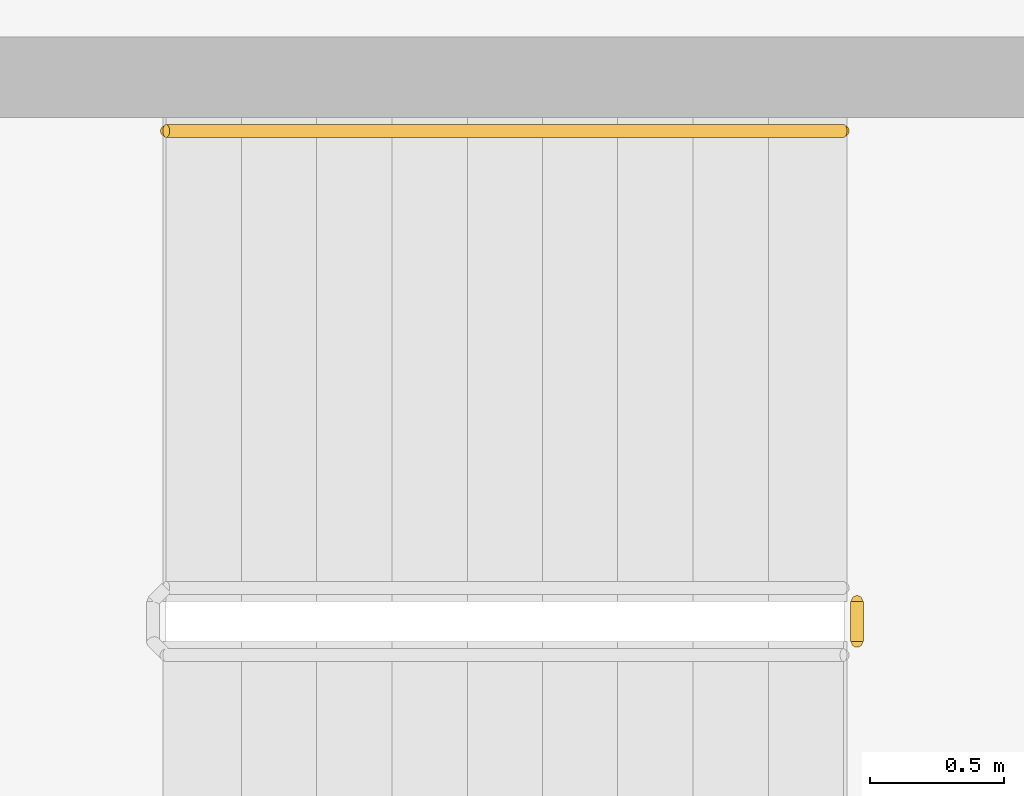
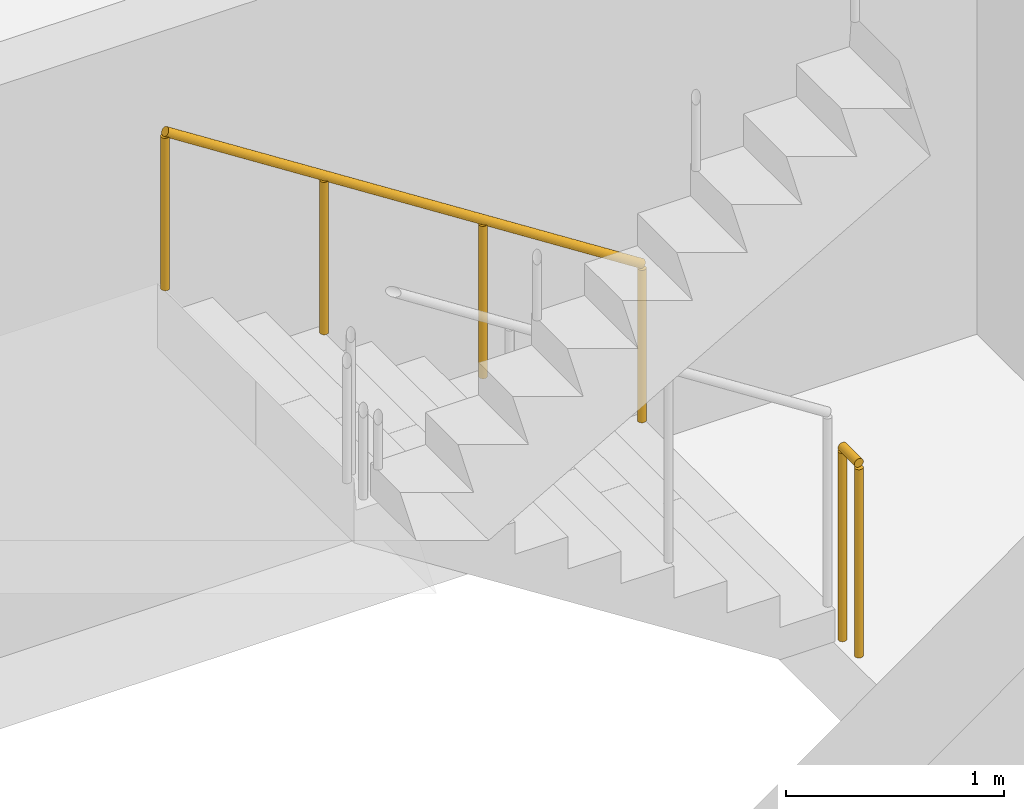
# One storey, part 23 of 26: 2 railings.
"""IFC4 building model written with IfcOpenShell, lengths in metres."""

import ifcopenshell
import ifcopenshell.guid

model = None  # the IFC model being written
_history = None  # IfcOwnerHistory: only IFC2X3 demands one
_inside = {}  # id of a spatial element -> (the spatial element, [elements in it])
_under = {}  # id of a project, library or spatial element -> (it, [spatial elements below it])
_declared = {}  # id of a project -> (the project, [libraries it declares])
_typed = {}  # id of a type object -> (the type object, [elements of that type])
_made_of = {}  # id of a material, layer set ... -> (it, [elements and type objects made of it])


def new_model(schema):
    """Start an empty IFC model of exactly this schema.

    Asked for "IFC4X3", IfcOpenShell would pick the latest addendum, in which some entities
    have other attributes; the version numbers below select the first issue.
    IFC2X3 requires an IfcOwnerHistory on every rooted entity: one is made here for all.
    """
    global model, _history
    if schema == "IFC4X3":
        model = ifcopenshell.file(schema_version=(4, 3, 0, 0))
    else:
        model = ifcopenshell.file(schema=schema)
    _inside.clear()
    _under.clear()
    _declared.clear()
    _typed.clear()
    _made_of.clear()
    _history = None
    if model.schema == "IFC2X3":
        org = make("IfcOrganization", Name="unknown")
        user = make(
            "IfcPersonAndOrganization",
            ThePerson=make("IfcPerson", FamilyName="unknown"),
            TheOrganization=org,
        )
        app = make(
            "IfcApplication",
            ApplicationDeveloper=org,
            Version="unknown",
            ApplicationFullName="unknown",
            ApplicationIdentifier="unknown",
        )
        _history = make(
            "IfcOwnerHistory",
            OwningUser=user,
            OwningApplication=app,
            ChangeAction="ADDED",
            CreationDate=0,
        )
    return model


def make(cls, **values):
    """One entity of the class cls with the attributes given. An attribute that is None is left unset."""
    return model.create_entity(
        cls, **{name: value for name, value in values.items() if value is not None}
    )


def rooted(cls, **values):
    """An entity with a GlobalId (a new one), such as an element, a storey or a relation."""
    return make(cls, GlobalId=ifcopenshell.guid.new(), OwnerHistory=_history, **values)


def si_unit(unit_type, name, prefix=None):
    """IfcSIUnit, for example si_unit("LENGTHUNIT", "METRE", prefix="MILLI")."""
    return make("IfcSIUnit", UnitType=unit_type, Prefix=prefix, Name=name)


def assignment(units):
    """IfcUnitAssignment: the units of a project."""
    return None if units is None else make("IfcUnitAssignment", Units=units)


def point(xyz):
    """IfcCartesianPoint."""
    return None if xyz is None else make("IfcCartesianPoint", Coordinates=xyz)


def direction(xyz):
    """IfcDirection."""
    return None if xyz is None else make("IfcDirection", DirectionRatios=xyz)


def frame(location, z_axis=None, x_axis=None):
    """IfcAxis2Placement3D, a coordinate frame: its origin and axes. An axis left out is left unset."""
    return make(
        "IfcAxis2Placement3D",
        Location=point(location),
        Axis=direction(z_axis),
        RefDirection=direction(x_axis),
    )


def frame_2d(location, x_axis=None):
    """IfcAxis2Placement2D, a coordinate frame in the plane: its origin and x axis."""
    return make(
        "IfcAxis2Placement2D", Location=point(location), RefDirection=direction(x_axis)
    )


def origin():
    """The frame at (0, 0, 0) with its axes left unset."""
    return frame((0.0, 0.0, 0.0))


def origin_2d():
    """The frame at (0, 0) in the plane with its x axis left unset."""
    return frame_2d((0.0, 0.0))


def place(relative_to, where):
    """IfcLocalPlacement: puts the frame where relative to a parent placement (None: the world)."""
    return make(
        "IfcLocalPlacement", PlacementRelTo=relative_to, RelativePlacement=where
    )


def context(
    kind, dimensions, precision=None, world=None, true_north=None, identifier=None
):
    """IfcGeometricRepresentationContext, for example the 3D "Model" context."""
    return make(
        "IfcGeometricRepresentationContext",
        ContextIdentifier=identifier,
        ContextType=kind,
        CoordinateSpaceDimension=dimensions,
        Precision=precision,
        WorldCoordinateSystem=world,
        TrueNorth=true_north,
    )


def subcontext(parent, identifier, kind, view, scale=None):
    """IfcGeometricRepresentationSubContext, for example "Body" below "Model"."""
    return make(
        "IfcGeometricRepresentationSubContext",
        ContextIdentifier=identifier,
        ContextType=kind,
        ParentContext=parent,
        TargetScale=scale,
        TargetView=view,
    )


def project(units=None, contexts=None):
    """IfcProject with its units and contexts."""
    return rooted(
        "IfcProject",
        Name="project",
        RepresentationContexts=contexts,
        UnitsInContext=assignment(units),
    )


def spatial(cls, under=None, at=None, **own):
    """A site, building, storey or space (cls), placed at a placement, below another one or the project."""
    s = rooted(cls, ObjectPlacement=at, **own)
    if under is not None:
        _under.setdefault(under.id(), (under, []))[1].append(s)
    return s


def profile(cls, at=None, kind="AREA", **sizes):
    """A parametric profile (cls). Its sizes go by their IFC names, for example OverallWidth=200.0."""
    return make(cls, ProfileType=kind, Position=at, **sizes)


def circle(**sizes):
    """IfcCircleProfileDef."""
    return profile("IfcCircleProfileDef", **sizes)


def extrude(swept, where, along, depth):
    """IfcExtrudedAreaSolid: the profile swept, set in the frame where, extruded along a direction by depth."""
    return make(
        "IfcExtrudedAreaSolid",
        SweptArea=swept,
        Position=where,
        ExtrudedDirection=direction(along),
        Depth=depth,
    )


def shape(context_of_items, identifier, shape_type, items):
    """IfcShapeRepresentation: the items that make up one representation, for example the "Body"."""
    return make(
        "IfcShapeRepresentation",
        ContextOfItems=context_of_items,
        RepresentationIdentifier=identifier,
        RepresentationType=shape_type,
        Items=items,
    )


def material(Name=None, Category=None):
    """IfcMaterial."""
    return make("IfcMaterial", Name=Name, Category=Category)


def made_of(thing, what):
    """Note that an element or type object is made of a material, layer set ...; save() writes the relation."""
    if what is not None:
        _made_of.setdefault(what.id(), (what, []))[1].append(thing)
    return thing


def type_object(cls, material=None, **own):
    """A type object (cls), such as IfcWallType, which elements share."""
    return made_of(rooted(cls, **own), material)


def element(
    cls,
    number,
    at=None,
    inside=None,
    cuts=None,
    type_object=None,
    material=None,
    context=None,
    identifier="Body",
    shape_type=None,
    held_by="IfcProductDefinitionShape",
    body=None,
    shapes=None,
    **own,
):
    """One element of the class cls, such as IfcWall. Its Tag is "e" and its number.

    at: its placement. inside: the storey or other place that contains it. cuts: it is an
    opening in that element (IfcRelVoidsElement). A single representation is given by context,
    identifier, shape_type and body (its items); several are given by shapes. held_by: the class
    of the entity that holds the representations. save() writes the other relations.
    """
    e = rooted(cls, Tag="e%d" % number, ObjectPlacement=at, **own)
    if body is not None:
        shapes = [shape(context, identifier, shape_type, body)]
    if shapes is not None:
        e.Representation = make(held_by, Representations=shapes)
    if inside is not None:
        _inside.setdefault(inside.id(), (inside, []))[1].append(e)
    if cuts is not None:
        rooted(
            "IfcRelVoidsElement", RelatingBuildingElement=cuts, RelatedOpeningElement=e
        )
    if type_object is not None:
        _typed.setdefault(type_object.id(), (type_object, []))[1].append(e)
    return made_of(e, material)


def aggregate(whole, parts):
    """IfcRelAggregates: a whole, such as a stair, and the parts it consists of."""
    return rooted("IfcRelAggregates", RelatingObject=whole, RelatedObjects=parts)


def save(model, path):
    """Write the relations noted so far, then the file.

    IfcRelAggregates (storeys below a building ...), IfcRelContainedInSpatialStructure (elements
    in a storey), IfcRelDefinesByType, IfcRelAssociatesMaterial and IfcRelDeclares: one each for
    every whole, place, type object, material and project.
    """
    for whole, parts in _under.values():
        aggregate(whole, parts)
    for where, things in _inside.values():
        rooted(
            "IfcRelContainedInSpatialStructure",
            RelatedElements=things,
            RelatingStructure=where,
        )
    for kind, things in _typed.values():
        rooted("IfcRelDefinesByType", RelatedObjects=things, RelatingType=kind)
    for what, things in _made_of.values():
        rooted("IfcRelAssociatesMaterial", RelatedObjects=things, RelatingMaterial=what)
    for by, libraries in _declared.values():
        rooted("IfcRelDeclares", RelatingContext=by, RelatedDefinitions=libraries)
    model.write(path)


model = new_model("IFC4")

# Units and contexts
model_context = context("Model", 3, precision=1e-05, world=origin(), true_north=direction((0.0, 1.0)))
body_context = subcontext(model_context, "Body", "Model", "MODEL_VIEW")
ifc_project = project(units=[si_unit("LENGTHUNIT", "METRE"), si_unit("AREAUNIT", "SQUARE_METRE"), si_unit("VOLUMEUNIT", "CUBIC_METRE"), si_unit("PLANEANGLEUNIT", "RADIAN"), si_unit("MASSUNIT", "GRAM", prefix="KILO")], contexts=[model_context])

# Site, building, storey
site_placement = place(None, origin())
site = spatial("IfcSite", under=ifc_project, at=site_placement, CompositionType="ELEMENT")
building_placement = place(site_placement, origin())
building = spatial("IfcBuilding", under=site, at=building_placement, Name="Wharfspan Tower", CompositionType="ELEMENT")
storey_placement = place(building_placement, frame((0.0, 0.0, 96.699951)))
storey = spatial("IfcBuildingStorey", under=building, at=storey_placement, Name="L21", CompositionType="ELEMENT", Elevation=96.699951)

# Railings
ifc_material = material(Name="Steel S355J2", Category="steel")
railing_type_1 = type_object("IfcRailingType", Name="Stair guard 1100", PredefinedType="GUARDRAIL", material=ifc_material)
railing_1_placement = place(storey_placement, frame((13.949951, 22.774902, 0.0)))
element("IfcRailing", 1, at=railing_1_placement, inside=storey, type_object=railing_type_1, Name="L21 ST3 stair guard 2", PredefinedType="GUARDRAIL", context=body_context, shape_type="SweptSolid", body=[
    extrude(circle(Radius=0.023926, at=origin_2d()), frame((0.0, 0.0, 1.076172), z_axis=(0.0, -1.0, 0.0), x_axis=(1.0, 0.0, 0.0)), (0.0, 0.0, 1.0), 0.149902),
    extrude(circle(Radius=0.020996, at=origin_2d()), origin(), (0.0, 0.0, 1.0), 1.052002),
    extrude(circle(Radius=0.020996, at=origin_2d()), frame((0.0, -0.149902, 0.0)), (0.0, 0.0, 1.0), 1.052002),
])
railing_type_2 = type_object("IfcRailingType", Name="Stair handrail 900", PredefinedType="HANDRAIL", material=ifc_material)
railing_2_placement = place(storey_placement, frame((13.899902, 24.524902, 0.179932)))
element("IfcRailing", 2, at=railing_2_placement, inside=storey, type_object=railing_type_2, Name="L21 ST3 stair handrail 1", PredefinedType="HANDRAIL", context=body_context, shape_type="SweptSolid", body=[
    extrude(circle(Radius=0.023926, at=origin_2d()), frame((0.0, 0.0, 0.875977), z_axis=(-0.841163, 0.0, 0.540782), x_axis=(0.0, -1.0, 0.0)), (0.0, 0.0, 1.0), 2.99585),
    extrude(circle(Radius=0.020996, at=origin_2d()), origin(), (0.0, 0.0, 1.0), 0.851807),
    extrude(circle(Radius=0.020996, at=origin_2d()), frame((-0.840088, 0.0, 0.540039)), (0.0, 0.0, 1.0), 0.851807),
    extrude(circle(Radius=0.020996, at=origin_2d()), frame((-1.679932, 0.0, 1.080078)), (0.0, 0.0, 1.0), 0.851807),
    extrude(circle(Radius=0.020996, at=origin_2d()), frame((-2.52002, 0.0, 1.620117)), (0.0, 0.0, 1.0), 0.851807),
])

save(model, "model.ifc")
